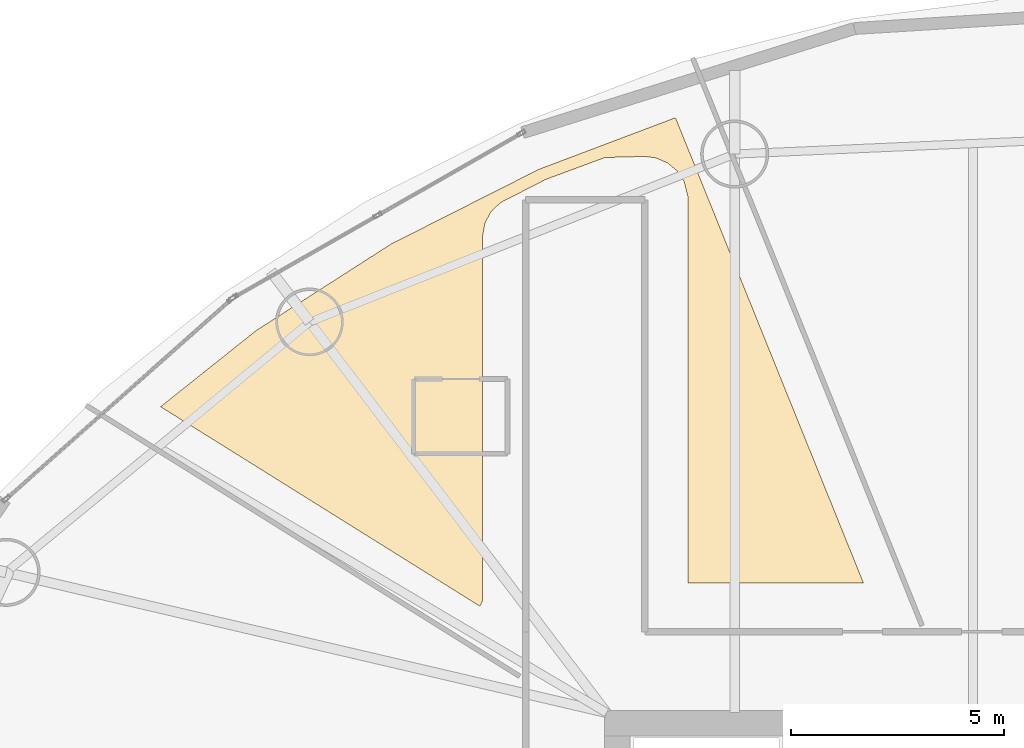
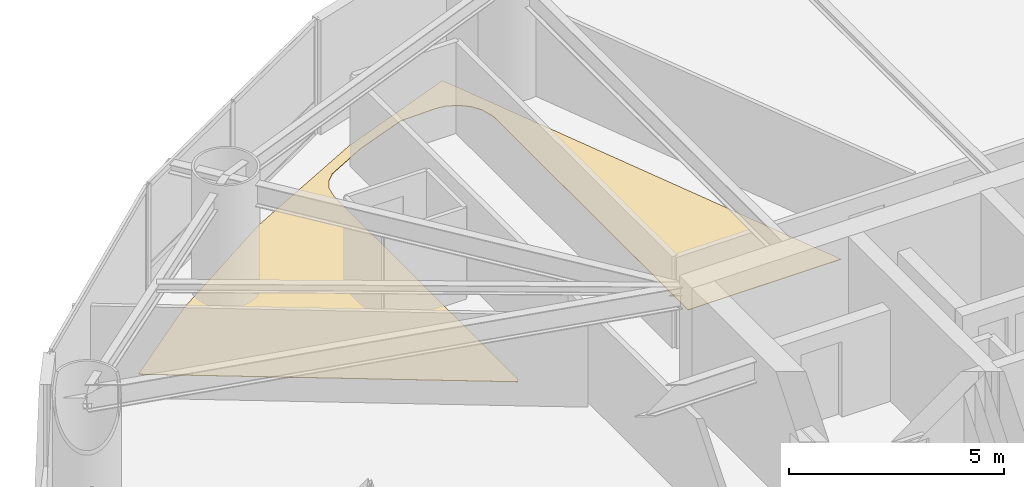
# One storey, part 26 of 26: 1 covering.
"""IFC4 building model written with IfcOpenShell, lengths in metres."""

import ifcopenshell
import ifcopenshell.guid

model = None  # the IFC model being written
_history = None  # IfcOwnerHistory: only IFC2X3 demands one
_inside = {}  # id of a spatial element -> (the spatial element, [elements in it])
_under = {}  # id of a project, library or spatial element -> (it, [spatial elements below it])
_declared = {}  # id of a project -> (the project, [libraries it declares])
_typed = {}  # id of a type object -> (the type object, [elements of that type])
_made_of = {}  # id of a material, layer set ... -> (it, [elements and type objects made of it])


def new_model(schema):
    """Start an empty IFC model of exactly this schema.

    Asked for "IFC4X3", IfcOpenShell would pick the latest addendum, in which some entities
    have other attributes; the version numbers below select the first issue.
    IFC2X3 requires an IfcOwnerHistory on every rooted entity: one is made here for all.
    """
    global model, _history
    if schema == "IFC4X3":
        model = ifcopenshell.file(schema_version=(4, 3, 0, 0))
    else:
        model = ifcopenshell.file(schema=schema)
    _inside.clear()
    _under.clear()
    _declared.clear()
    _typed.clear()
    _made_of.clear()
    _history = None
    if model.schema == "IFC2X3":
        org = make("IfcOrganization", Name="unknown")
        user = make(
            "IfcPersonAndOrganization",
            ThePerson=make("IfcPerson", FamilyName="unknown"),
            TheOrganization=org,
        )
        app = make(
            "IfcApplication",
            ApplicationDeveloper=org,
            Version="unknown",
            ApplicationFullName="unknown",
            ApplicationIdentifier="unknown",
        )
        _history = make(
            "IfcOwnerHistory",
            OwningUser=user,
            OwningApplication=app,
            ChangeAction="ADDED",
            CreationDate=0,
        )
    return model


def make(cls, **values):
    """One entity of the class cls with the attributes given. An attribute that is None is left unset."""
    return model.create_entity(
        cls, **{name: value for name, value in values.items() if value is not None}
    )


def rooted(cls, **values):
    """An entity with a GlobalId (a new one), such as an element, a storey or a relation."""
    return make(cls, GlobalId=ifcopenshell.guid.new(), OwnerHistory=_history, **values)


def si_unit(unit_type, name, prefix=None):
    """IfcSIUnit, for example si_unit("LENGTHUNIT", "METRE", prefix="MILLI")."""
    return make("IfcSIUnit", UnitType=unit_type, Prefix=prefix, Name=name)


def assignment(units):
    """IfcUnitAssignment: the units of a project."""
    return None if units is None else make("IfcUnitAssignment", Units=units)


def point(xyz):
    """IfcCartesianPoint."""
    return None if xyz is None else make("IfcCartesianPoint", Coordinates=xyz)


def direction(xyz):
    """IfcDirection."""
    return None if xyz is None else make("IfcDirection", DirectionRatios=xyz)


def frame(location, z_axis=None, x_axis=None):
    """IfcAxis2Placement3D, a coordinate frame: its origin and axes. An axis left out is left unset."""
    return make(
        "IfcAxis2Placement3D",
        Location=point(location),
        Axis=direction(z_axis),
        RefDirection=direction(x_axis),
    )


def origin():
    """The frame at (0, 0, 0) with its axes left unset."""
    return frame((0.0, 0.0, 0.0))


def place(relative_to, where):
    """IfcLocalPlacement: puts the frame where relative to a parent placement (None: the world)."""
    return make(
        "IfcLocalPlacement", PlacementRelTo=relative_to, RelativePlacement=where
    )


def context(
    kind, dimensions, precision=None, world=None, true_north=None, identifier=None
):
    """IfcGeometricRepresentationContext, for example the 3D "Model" context."""
    return make(
        "IfcGeometricRepresentationContext",
        ContextIdentifier=identifier,
        ContextType=kind,
        CoordinateSpaceDimension=dimensions,
        Precision=precision,
        WorldCoordinateSystem=world,
        TrueNorth=true_north,
    )


def subcontext(parent, identifier, kind, view, scale=None):
    """IfcGeometricRepresentationSubContext, for example "Body" below "Model"."""
    return make(
        "IfcGeometricRepresentationSubContext",
        ContextIdentifier=identifier,
        ContextType=kind,
        ParentContext=parent,
        TargetScale=scale,
        TargetView=view,
    )


def project(units=None, contexts=None):
    """IfcProject with its units and contexts."""
    return rooted(
        "IfcProject",
        Name="project",
        RepresentationContexts=contexts,
        UnitsInContext=assignment(units),
    )


def spatial(cls, under=None, at=None, **own):
    """A site, building, storey or space (cls), placed at a placement, below another one or the project."""
    s = rooted(cls, ObjectPlacement=at, **own)
    if under is not None:
        _under.setdefault(under.id(), (under, []))[1].append(s)
    return s


def polyline(points):
    """IfcPolyline through the points."""
    return make("IfcPolyline", Points=[point(p) for p in points])


def outline(outer, holes=None, kind="AREA"):
    """IfcArbitraryClosedProfileDef: a profile drawn as a closed curve; with holes, ...WithVoids."""
    if holes is None:
        return make("IfcArbitraryClosedProfileDef", ProfileType=kind, OuterCurve=outer)
    return make(
        "IfcArbitraryProfileDefWithVoids",
        ProfileType=kind,
        OuterCurve=outer,
        InnerCurves=holes,
    )


def extrude(swept, where, along, depth):
    """IfcExtrudedAreaSolid: the profile swept, set in the frame where, extruded along a direction by depth."""
    return make(
        "IfcExtrudedAreaSolid",
        SweptArea=swept,
        Position=where,
        ExtrudedDirection=direction(along),
        Depth=depth,
    )


def shape(context_of_items, identifier, shape_type, items):
    """IfcShapeRepresentation: the items that make up one representation, for example the "Body"."""
    return make(
        "IfcShapeRepresentation",
        ContextOfItems=context_of_items,
        RepresentationIdentifier=identifier,
        RepresentationType=shape_type,
        Items=items,
    )


def material(Name=None, Category=None):
    """IfcMaterial."""
    return make("IfcMaterial", Name=Name, Category=Category)


def layer(
    of_material, thickness, ventilated=None, Name=None, Category=None, Priority=None
):
    """IfcMaterialLayer: one layer of a wall or slab, of a material (None: an air gap)."""
    return make(
        "IfcMaterialLayer",
        Material=of_material,
        LayerThickness=thickness,
        IsVentilated=ventilated,
        Name=Name,
        Category=Category,
        Priority=Priority,
    )


def layer_set(layers, Name=None):
    """IfcMaterialLayerSet."""
    return make("IfcMaterialLayerSet", MaterialLayers=layers, LayerSetName=Name)


def made_of(thing, what):
    """Note that an element or type object is made of a material, layer set ...; save() writes the relation."""
    if what is not None:
        _made_of.setdefault(what.id(), (what, []))[1].append(thing)
    return thing


def type_object(cls, material=None, **own):
    """A type object (cls), such as IfcWallType, which elements share."""
    return made_of(rooted(cls, **own), material)


def element(
    cls,
    number,
    at=None,
    inside=None,
    cuts=None,
    type_object=None,
    material=None,
    context=None,
    identifier="Body",
    shape_type=None,
    held_by="IfcProductDefinitionShape",
    body=None,
    shapes=None,
    **own,
):
    """One element of the class cls, such as IfcWall. Its Tag is "e" and its number.

    at: its placement. inside: the storey or other place that contains it. cuts: it is an
    opening in that element (IfcRelVoidsElement). A single representation is given by context,
    identifier, shape_type and body (its items); several are given by shapes. held_by: the class
    of the entity that holds the representations. save() writes the other relations.
    """
    e = rooted(cls, Tag="e%d" % number, ObjectPlacement=at, **own)
    if body is not None:
        shapes = [shape(context, identifier, shape_type, body)]
    if shapes is not None:
        e.Representation = make(held_by, Representations=shapes)
    if inside is not None:
        _inside.setdefault(inside.id(), (inside, []))[1].append(e)
    if cuts is not None:
        rooted(
            "IfcRelVoidsElement", RelatingBuildingElement=cuts, RelatedOpeningElement=e
        )
    if type_object is not None:
        _typed.setdefault(type_object.id(), (type_object, []))[1].append(e)
    return made_of(e, material)


def aggregate(whole, parts):
    """IfcRelAggregates: a whole, such as a stair, and the parts it consists of."""
    return rooted("IfcRelAggregates", RelatingObject=whole, RelatedObjects=parts)


def save(model, path):
    """Write the relations noted so far, then the file.

    IfcRelAggregates (storeys below a building ...), IfcRelContainedInSpatialStructure (elements
    in a storey), IfcRelDefinesByType, IfcRelAssociatesMaterial and IfcRelDeclares: one each for
    every whole, place, type object, material and project.
    """
    for whole, parts in _under.values():
        aggregate(whole, parts)
    for where, things in _inside.values():
        rooted(
            "IfcRelContainedInSpatialStructure",
            RelatedElements=things,
            RelatingStructure=where,
        )
    for kind, things in _typed.values():
        rooted("IfcRelDefinesByType", RelatedObjects=things, RelatingType=kind)
    for what, things in _made_of.values():
        rooted("IfcRelAssociatesMaterial", RelatedObjects=things, RelatingMaterial=what)
    for by, libraries in _declared.values():
        rooted("IfcRelDeclares", RelatingContext=by, RelatedDefinitions=libraries)
    model.write(path)


model = new_model("IFC4")

# Units and contexts
model_context = context("Model", 3, precision=1e-05, world=origin(), true_north=direction((0.0, 1.0)))
body_context = subcontext(model_context, "Body", "Model", "MODEL_VIEW")
ifc_project = project(units=[si_unit("LENGTHUNIT", "METRE"), si_unit("AREAUNIT", "SQUARE_METRE"), si_unit("VOLUMEUNIT", "CUBIC_METRE"), si_unit("PLANEANGLEUNIT", "RADIAN"), si_unit("MASSUNIT", "GRAM", prefix="KILO")], contexts=[model_context])

# Site, building, storey
site_placement = place(None, origin())
site = spatial("IfcSite", under=ifc_project, at=site_placement, CompositionType="ELEMENT")
building_placement = place(site_placement, origin())
building = spatial("IfcBuilding", under=site, at=building_placement, Name="Bramvorn Convention Spire", CompositionType="ELEMENT")
storey_placement = place(building_placement, frame((0.0, 0.0, 51.89990234375)))
storey = spatial("IfcBuildingStorey", under=building, at=storey_placement, Name="L10", CompositionType="ELEMENT", Elevation=51.89990234375)

# Covering
ifc_material = material(Name="Solution-Dyed Wool Broadloom Hospitality Carpet", Category="textile")
ifc_layer = layer(ifc_material, 0.014892578125)
ifc_layer_set = layer_set([ifc_layer], Name="Solution-Dyed Wool Broadloom Hospitality Carpet - FLR-CARPET-15")
covering_type = type_object("IfcCoveringType", Name="FLR-CARPET-15", PredefinedType="FLOORING", material=ifc_layer_set)
covering_placement = place(storey_placement, origin())
element("IfcCovering", 1, at=covering_placement, inside=storey, type_object=covering_type, Name="Hotel Suite 1004 wool broadloom carpet", PredefinedType="FLOORING", context=body_context, shape_type="SweptSolid", body=[
    extrude(outline(polyline([(23.77197265625, 35.951904296875), (23.830078125, 36.063720703125), (23.830078125, 44.6044921875), (23.894287109375, 44.960693359375), (24.035400390625, 45.21826171875), (24.25390625, 45.43212890625), (25.322509765625, 45.97998046875), (26.71484375, 46.4951171875), (27.64990234375, 46.52001953125), (27.903564453125, 46.48779296875), (28.179443359375, 46.37158203125), (28.40966796875, 46.180419921875), (28.574462890625, 45.9306640625), (28.668212890625, 45.555908203125), (28.669921875, 36.5), (32.787109375, 36.5), (28.37060546875, 47.430908203125), (25.15869140625, 46.21728515625), (21.685302734375, 44.461181640625), (18.515869140625, 42.427978515625), (16.2705078125, 40.639404296875), (23.77197265625, 35.951904296875)])), origin(), (0.0, 0.0, 1.0), 0.01513671875),
])

save(model, "model.ifc")
